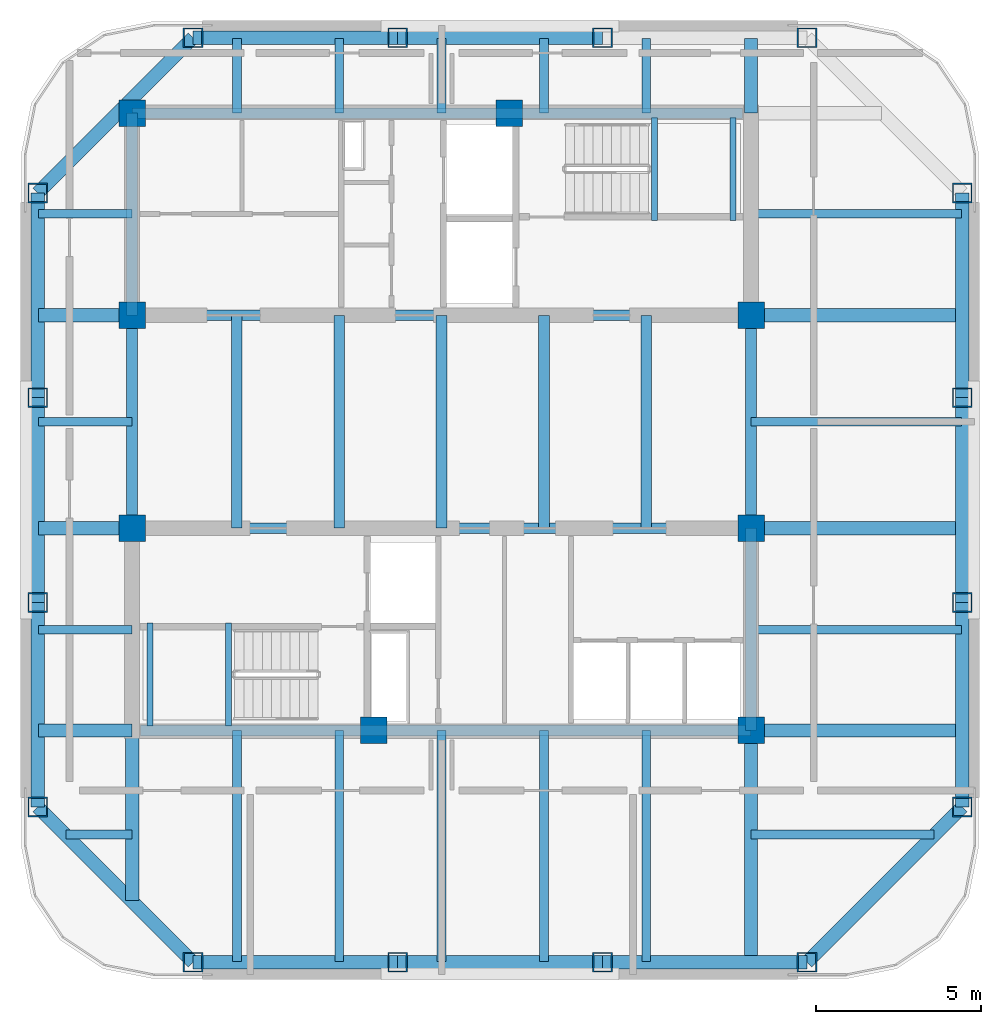
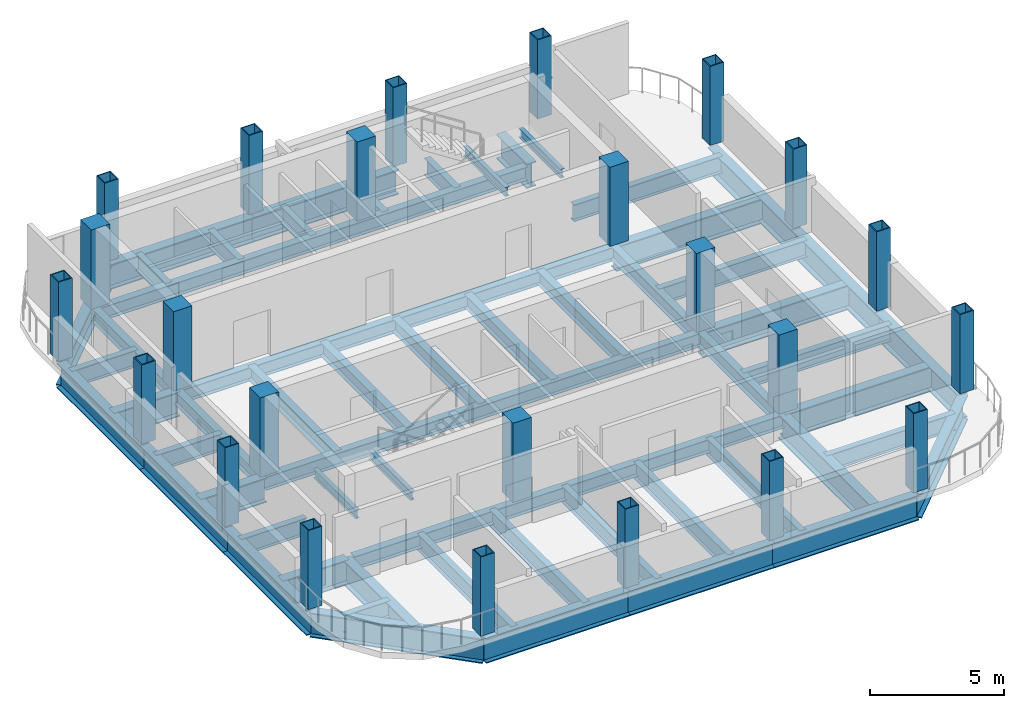
# One storey, part 1 of 7: 58 beams, 24 columns.
"""IFC4 building model written with IfcOpenShell, lengths in metres."""

from ifc_helpers import new_model, si_unit, direction, frame, origin, origin_2d, place, context, subcontext, project, spatial, rectangle, hollow_rectangle, i_section, extrude, material, material_profile, profile_set, type_object, element, save


model = new_model("IFC4")

# Units and contexts
model_context = context("Model", 3, precision=1e-05, world=origin(), true_north=direction((0.0, 1.0)))
body_context = subcontext(model_context, "Body", "Model", "MODEL_VIEW")
ifc_project = project(units=[si_unit("LENGTHUNIT", "METRE"), si_unit("AREAUNIT", "SQUARE_METRE"), si_unit("VOLUMEUNIT", "CUBIC_METRE"), si_unit("PLANEANGLEUNIT", "RADIAN"), si_unit("MASSUNIT", "GRAM", prefix="KILO")], contexts=[model_context])

# Site, building, storey
site_placement = place(None, origin())
site = spatial("IfcSite", under=ifc_project, at=site_placement, CompositionType="ELEMENT")
building_placement = place(site_placement, origin())
building = spatial("IfcBuilding", under=site, at=building_placement, Name="Qhalaya Broadcast Tower", CompositionType="ELEMENT")
storey_placement = place(building_placement, frame((0.0, 0.0, 234.89990234375)))
storey = spatial("IfcBuildingStorey", under=building, at=storey_placement, Name="L69", CompositionType="ELEMENT", Elevation=234.89990234375)

# Columns
ifc_material_1 = material(Name="Concrete C50/60", Category="concrete")
ifc_material_profile_1 = material_profile(ifc_material_1, rectangle(XDim=0.800048828125, YDim=0.800048828125, at=origin_2d()), Name="RC-COL 800x800")
ifc_profile_set_1 = profile_set([ifc_material_profile_1], Name="Concrete C50/60")
column_type_1 = type_object("IfcColumnType", Name="RC Upper Column C10", PredefinedType="COLUMN", material=ifc_profile_set_1)
for number, where, z_axis, x_axis, name in (
    (1, (-9.375, 9.949951171875, 0.0), (0.0, 0.0, 1.0), (1.0, 0.0, 0.0), "L69 Column COL-CC1"),
    (2, (2.050048828125, 9.949951171875, 0.0), (0.0, 0.0, 1.0), (1.0, 0.0, 0.0), "L69 Column COL-CC2"),
    (3, (-9.375, 3.824951171875, 0.0), (0.0, 0.0, 1.0), (1.0, 0.0, 0.0), "L69 Column COL-CC3"),
    (4, (9.375, 3.824951171875, 0.0), (0.0, 0.0, 1.0), (1.0, 0.0, 0.0), "L69 Column COL-CC4"),
    (5, (-9.375, -2.625, 0.0), (0.0, 0.0, 1.0), (1.0, 0.0, 0.0), "L69 Column COL-CC5"),
    (6, (9.375, -2.625, 0.0), (0.0, 0.0, 1.0), (1.0, 0.0, 0.0), "L69 Column COL-CC6"),
    (7, (-2.050048828125, -8.75, 0.0), (0.0, 0.0, 1.0), (1.0, 0.0, 0.0), "L69 Column COL-CC7"),
    (8, (9.375, -8.75, 0.0), (0.0, 0.0, 1.0), (1.0, 0.0, 0.0), "L69 Column COL-CC8"),
):
    element("IfcColumn", number, at=place(storey_placement, frame(where, z_axis=z_axis, x_axis=x_axis)), inside=storey, type_object=column_type_1, Name=name, PredefinedType="COLUMN", context=body_context, shape_type="SweptSolid", body=[
        extrude(rectangle(XDim=0.800048828125, YDim=0.800048828125, at=origin_2d()), origin(), (0.0, 0.0, 1.0), 3.60009765625),
    ])
ifc_material_2 = material(Name="Structural Steel ASTM A572 Grade 50", Category="steel")
ifc_material_profile_2 = material_profile(ifc_material_2, hollow_rectangle(XDim=0.60009765625, YDim=0.60009765625, WallThickness=0.0400390625, at=origin_2d()), Name="BOX 600x600x40")
ifc_profile_set_2 = profile_set([ifc_material_profile_2], Name="Structural Steel ASTM A572 Grade 50")
column_type_2 = type_object("IfcColumnType", Name="Steel Box Column C05", PredefinedType="COLUMN", material=ifc_profile_set_2)
for number, where, z_axis, x_axis, name in (
    (9, (-7.530029296875, -15.77001953125, 0.0), (0.0, 0.0, 1.0), (1.0, 0.0, 0.0), "L69 Column COL-NK01"),
    (10, (-1.330078125, -15.77001953125, 0.0), (0.0, 0.0, 1.0), (1.0, 0.0, 0.0), "L69 Column COL-NK02"),
    (11, (4.8701171875, -15.77001953125, 0.0), (0.0, 0.0, 1.0), (1.0, 0.0, 0.0), "L69 Column COL-NK03"),
    (12, (11.070068359375, -15.77001953125, 0.0), (0.0, 0.0, 1.0), (1.0, 0.0, 0.0), "L69 Column COL-NK04"),
    (13, (15.77001953125, -11.070068359375, 0.0), (0.0, 0.0, 1.0), (0.0, 1.0, 0.0), "L69 Column COL-NK05"),
    (14, (15.77001953125, -4.8701171875, 0.0), (0.0, 0.0, 1.0), (0.0, 1.0, 0.0), "L69 Column COL-NK06"),
    (15, (15.77001953125, 1.330078125, 0.0), (0.0, 0.0, 1.0), (0.0, 1.0, 0.0), "L69 Column COL-NK07"),
    (16, (15.77001953125, 7.530029296875, 0.0), (0.0, 0.0, 1.0), (0.0, 1.0, 0.0), "L69 Column COL-NK08"),
    (17, (11.070068359375, 12.22998046875, 0.0), (0.0, 0.0, 1.0), (1.0, 0.0, 0.0), "L69 Column COL-NK09"),
    (18, (4.8701171875, 12.22998046875, 0.0), (0.0, 0.0, 1.0), (1.0, 0.0, 0.0), "L69 Column COL-NK10"),
    (19, (-1.330078125, 12.22998046875, 0.0), (0.0, 0.0, 1.0), (1.0, 0.0, 0.0), "L69 Column COL-NK11"),
    (20, (-7.530029296875, 12.22998046875, 0.0), (0.0, 0.0, 1.0), (1.0, 0.0, 0.0), "L69 Column COL-NK12"),
    (21, (-12.22998046875, 7.530029296875, 0.0), (0.0, 0.0, 1.0), (0.0, 1.0, 0.0), "L69 Column COL-NK13"),
    (22, (-12.22998046875, 1.330078125, 0.0), (0.0, 0.0, 1.0), (0.0, 1.0, 0.0), "L69 Column COL-NK14"),
    (23, (-12.22998046875, -4.8701171875, 0.0), (0.0, 0.0, 1.0), (0.0, 1.0, 0.0), "L69 Column COL-NK15"),
    (24, (-12.22998046875, -11.070068359375, 0.0), (0.0, 0.0, 1.0), (0.0, 1.0, 0.0), "L69 Column COL-NK16"),
):
    element("IfcColumn", number, at=place(storey_placement, frame(where, z_axis=z_axis, x_axis=x_axis)), inside=storey, type_object=column_type_2, Name=name, PredefinedType="COLUMN", context=body_context, shape_type="SweptSolid", body=[
        extrude(hollow_rectangle(XDim=0.60009765625, YDim=0.60009765625, WallThickness=0.0400390625, at=origin_2d()), origin(), (0.0, 0.0, 1.0), 3.60009765625),
    ])

# Beams
ifc_material_3 = material(Name="Structural Steel ASTM A992 Grade 50", Category="steel")
ifc_material_profile_3 = material_profile(ifc_material_3, i_section(OverallWidth=0.323974609375, OverallDepth=0.612060546875, WebThickness=0.0126953125, FlangeThickness=0.01904296875, at=origin_2d()), Name="W24X104")
ifc_profile_set_3 = profile_set([ifc_material_profile_3], Name="Structural Steel ASTM A992 Grade 50")
beam_type_1 = type_object("IfcBeamType", Name="Core Frame Tie Beam B04", PredefinedType="BEAM", material=ifc_profile_set_3)
beam_1_placement = place(storey_placement, frame((-9.375, 3.824951171875, -0.5859375), z_axis=(1.0, 0.0, 0.0), x_axis=(0.0, 1.0, 0.0)))
element("IfcBeam", 25, at=beam_1_placement, inside=storey, type_object=beam_type_1, Name="L69 B04 L69-CCN1", PredefinedType="BEAM", context=body_context, shape_type="SweptSolid", body=[
    extrude(i_section(OverallWidth=0.323974609375, OverallDepth=0.612060546875, WebThickness=0.0126953125, FlangeThickness=0.01904296875, at=origin_2d()), origin(), (0.0, 0.0, 1.0), 18.75),
])
beam_2_placement = place(storey_placement, frame((-9.375, 3.824951171875, -0.5859375), z_axis=(0.0, 1.0, 0.0), x_axis=(-1.0, 0.0, 0.0)))
element("IfcBeam", 26, at=beam_2_placement, inside=storey, type_object=beam_type_1, Name="L69 B04 L69-CCN2", PredefinedType="BEAM", context=body_context, shape_type="SweptSolid", body=[
    extrude(i_section(OverallWidth=0.323974609375, OverallDepth=0.612060546875, WebThickness=0.0126953125, FlangeThickness=0.01904296875, at=origin_2d()), origin(), (0.0, 0.0, 1.0), 6.125),
])
beam_3_placement = place(storey_placement, frame((-9.375, 9.949951171875, -0.5859375), z_axis=(1.0, 0.0, 0.0), x_axis=(0.0, 1.0, 0.0)))
element("IfcBeam", 27, at=beam_3_placement, inside=storey, type_object=beam_type_1, Name="L69 B04 L69-CCN3", PredefinedType="BEAM", context=body_context, shape_type="SweptSolid", body=[
    extrude(i_section(OverallWidth=0.323974609375, OverallDepth=0.612060546875, WebThickness=0.0126953125, FlangeThickness=0.01904296875, at=origin_2d()), origin(), (0.0, 0.0, 1.0), 18.4951171875),
])
beam_4_placement = place(storey_placement, frame((-9.375, -2.625, -0.5859375), z_axis=(1.0, 0.0, 0.0), x_axis=(0.0, 1.0, 0.0)))
element("IfcBeam", 28, at=beam_4_placement, inside=storey, type_object=beam_type_1, Name="L69 B04 L69-CCS1", PredefinedType="BEAM", context=body_context, shape_type="SweptSolid", body=[
    extrude(i_section(OverallWidth=0.323974609375, OverallDepth=0.612060546875, WebThickness=0.0126953125, FlangeThickness=0.01904296875, at=origin_2d()), origin(), (0.0, 0.0, 1.0), 18.75),
])
beam_5_placement = place(storey_placement, frame((9.375, -8.75, -0.5859375), z_axis=(0.0, 1.0, 0.0), x_axis=(-1.0, 0.0, 0.0)))
element("IfcBeam", 29, at=beam_5_placement, inside=storey, type_object=beam_type_1, Name="L69 B04 L69-CCS2", PredefinedType="BEAM", context=body_context, shape_type="SweptSolid", body=[
    extrude(i_section(OverallWidth=0.323974609375, OverallDepth=0.612060546875, WebThickness=0.0126953125, FlangeThickness=0.01904296875, at=origin_2d()), origin(), (0.0, 0.0, 1.0), 6.125),
])
beam_6_placement = place(storey_placement, frame((-9.1201171875, -8.75, -0.5859375), z_axis=(1.0, 0.0, 0.0), x_axis=(0.0, 1.0, 0.0)))
element("IfcBeam", 30, at=beam_6_placement, inside=storey, type_object=beam_type_1, Name="L69 B04 L69-CCS3", PredefinedType="BEAM", context=body_context, shape_type="SweptSolid", body=[
    extrude(i_section(OverallWidth=0.323974609375, OverallDepth=0.612060546875, WebThickness=0.0126953125, FlangeThickness=0.01904296875, at=origin_2d()), origin(), (0.0, 0.0, 1.0), 18.4951171875),
])
for number, where, z_axis, x_axis, name in (
    (31, (-9.375, -2.625, -0.5859375), (0.0, 1.0, 0.0), (-1.0, 0.0, 0.0), "L69 B04 L69-CCW"),
    (32, (9.375, -2.625, -0.5859375), (0.0, 1.0, 0.0), (-1.0, 0.0, 0.0), "L69 B04 L69-CCE"),
    (33, (-6.199951171875, -2.625, -0.5859375), (0.0, 1.0, 0.0), (-1.0, 0.0, 0.0), "L69 B04 L69-JC1-1"),
    (34, (-3.10009765625, -2.625, -0.5859375), (0.0, 1.0, 0.0), (-1.0, 0.0, 0.0), "L69 B04 L69-JC2-1"),
    (35, (0.0, -2.625, -0.5859375), (0.0, 1.0, 0.0), (-1.0, 0.0, 0.0), "L69 B04 L69-JC3-1"),
    (36, (3.10009765625, -2.625, -0.5859375), (0.0, 1.0, 0.0), (-1.0, 0.0, 0.0), "L69 B04 L69-JC4-1"),
    (37, (6.199951171875, -2.625, -0.5859375), (0.0, 1.0, 0.0), (-1.0, 0.0, 0.0), "L69 B04 L69-JC5-1"),
):
    element("IfcBeam", number, at=place(storey_placement, frame(where, z_axis=z_axis, x_axis=x_axis)), inside=storey, type_object=beam_type_1, Name=name, PredefinedType="BEAM", context=body_context, shape_type="SweptSolid", body=[
        extrude(i_section(OverallWidth=0.323974609375, OverallDepth=0.612060546875, WebThickness=0.0126953125, FlangeThickness=0.01904296875, at=origin_2d()), origin(), (0.0, 0.0, 1.0), 6.449951171875),
    ])
ifc_material_profile_4 = material_profile(ifc_material_3, i_section(OverallWidth=0.26708984375, OverallDepth=0.761962890625, WebThickness=0.014404296875, FlangeThickness=0.021484375, at=origin_2d()), Name="W30X116")
ifc_profile_set_4 = profile_set([ifc_material_profile_4], Name="Structural Steel ASTM A992 Grade 50")
beam_type_2 = type_object("IfcBeamType", Name="Plant & Server Floor Beam B02", PredefinedType="BEAM", material=ifc_profile_set_4)
beam_7_placement = place(storey_placement, frame((-6.199951171875, -15.75, -0.660888671875), z_axis=(0.0, 1.0, 0.0), x_axis=(-1.0, 0.0, 0.0)))
element("IfcBeam", 38, at=beam_7_placement, inside=storey, type_object=beam_type_2, Name="L69 B02 L69-JNS1-1", PredefinedType="BEAM", context=body_context, shape_type="SweptSolid", body=[
    extrude(i_section(OverallWidth=0.26708984375, OverallDepth=0.761962890625, WebThickness=0.014404296875, FlangeThickness=0.021484375, at=origin_2d()), origin(), (0.0, 0.0, 1.0), 7.0),
])
beam_8_placement = place(storey_placement, frame((-6.199951171875, 9.949951171875, -0.660888671875), z_axis=(0.0, 1.0, 0.0), x_axis=(-1.0, 0.0, 0.0)))
element("IfcBeam", 39, at=beam_8_placement, inside=storey, type_object=beam_type_2, Name="L69 B02 L69-JNN1-1", PredefinedType="BEAM", context=body_context, shape_type="SweptSolid", body=[
    extrude(i_section(OverallWidth=0.26708984375, OverallDepth=0.761962890625, WebThickness=0.014404296875, FlangeThickness=0.021484375, at=origin_2d()), origin(), (0.0, 0.0, 1.0), 2.260009765625),
])
beam_9_placement = place(storey_placement, frame((-3.10009765625, -15.75, -0.660888671875), z_axis=(0.0, 1.0, 0.0), x_axis=(-1.0, 0.0, 0.0)))
element("IfcBeam", 40, at=beam_9_placement, inside=storey, type_object=beam_type_2, Name="L69 B02 L69-JNS2-1", PredefinedType="BEAM", context=body_context, shape_type="SweptSolid", body=[
    extrude(i_section(OverallWidth=0.26708984375, OverallDepth=0.761962890625, WebThickness=0.014404296875, FlangeThickness=0.021484375, at=origin_2d()), origin(), (0.0, 0.0, 1.0), 7.0),
])
beam_10_placement = place(storey_placement, frame((-3.10009765625, 9.949951171875, -0.660888671875), z_axis=(0.0, 1.0, 0.0), x_axis=(-1.0, 0.0, 0.0)))
element("IfcBeam", 41, at=beam_10_placement, inside=storey, type_object=beam_type_2, Name="L69 B02 L69-JNN2-1", PredefinedType="BEAM", context=body_context, shape_type="SweptSolid", body=[
    extrude(i_section(OverallWidth=0.26708984375, OverallDepth=0.761962890625, WebThickness=0.014404296875, FlangeThickness=0.021484375, at=origin_2d()), origin(), (0.0, 0.0, 1.0), 2.260009765625),
])
beam_11_placement = place(storey_placement, frame((0.0, -15.75, -0.660888671875), z_axis=(0.0, 1.0, 0.0), x_axis=(-1.0, 0.0, 0.0)))
element("IfcBeam", 42, at=beam_11_placement, inside=storey, type_object=beam_type_2, Name="L69 B02 L69-JNS3-1", PredefinedType="BEAM", context=body_context, shape_type="SweptSolid", body=[
    extrude(i_section(OverallWidth=0.26708984375, OverallDepth=0.761962890625, WebThickness=0.014404296875, FlangeThickness=0.021484375, at=origin_2d()), origin(), (0.0, 0.0, 1.0), 7.0),
])
beam_12_placement = place(storey_placement, frame((0.0, 9.949951171875, -0.660888671875), z_axis=(0.0, 1.0, 0.0), x_axis=(-1.0, 0.0, 0.0)))
element("IfcBeam", 43, at=beam_12_placement, inside=storey, type_object=beam_type_2, Name="L69 B02 L69-JNN3-1", PredefinedType="BEAM", context=body_context, shape_type="SweptSolid", body=[
    extrude(i_section(OverallWidth=0.26708984375, OverallDepth=0.761962890625, WebThickness=0.014404296875, FlangeThickness=0.021484375, at=origin_2d()), origin(), (0.0, 0.0, 1.0), 2.260009765625),
])
beam_13_placement = place(storey_placement, frame((3.10009765625, -15.75, -0.660888671875), z_axis=(0.0, 1.0, 0.0), x_axis=(-1.0, 0.0, 0.0)))
element("IfcBeam", 44, at=beam_13_placement, inside=storey, type_object=beam_type_2, Name="L69 B02 L69-JNS4-1", PredefinedType="BEAM", context=body_context, shape_type="SweptSolid", body=[
    extrude(i_section(OverallWidth=0.26708984375, OverallDepth=0.761962890625, WebThickness=0.014404296875, FlangeThickness=0.021484375, at=origin_2d()), origin(), (0.0, 0.0, 1.0), 7.0),
])
beam_14_placement = place(storey_placement, frame((3.10009765625, 9.949951171875, -0.660888671875), z_axis=(0.0, 1.0, 0.0), x_axis=(-1.0, 0.0, 0.0)))
element("IfcBeam", 45, at=beam_14_placement, inside=storey, type_object=beam_type_2, Name="L69 B02 L69-JNN4-1", PredefinedType="BEAM", context=body_context, shape_type="SweptSolid", body=[
    extrude(i_section(OverallWidth=0.26708984375, OverallDepth=0.761962890625, WebThickness=0.014404296875, FlangeThickness=0.021484375, at=origin_2d()), origin(), (0.0, 0.0, 1.0), 2.260009765625),
])
beam_15_placement = place(storey_placement, frame((6.199951171875, -15.75, -0.660888671875), z_axis=(0.0, 1.0, 0.0), x_axis=(-1.0, 0.0, 0.0)))
element("IfcBeam", 46, at=beam_15_placement, inside=storey, type_object=beam_type_2, Name="L69 B02 L69-JNS5-1", PredefinedType="BEAM", context=body_context, shape_type="SweptSolid", body=[
    extrude(i_section(OverallWidth=0.26708984375, OverallDepth=0.761962890625, WebThickness=0.014404296875, FlangeThickness=0.021484375, at=origin_2d()), origin(), (0.0, 0.0, 1.0), 7.0),
])
beam_16_placement = place(storey_placement, frame((6.199951171875, 9.949951171875, -0.660888671875), z_axis=(0.0, 1.0, 0.0), x_axis=(-1.0, 0.0, 0.0)))
element("IfcBeam", 47, at=beam_16_placement, inside=storey, type_object=beam_type_2, Name="L69 B02 L69-JNN5-1", PredefinedType="BEAM", context=body_context, shape_type="SweptSolid", body=[
    extrude(i_section(OverallWidth=0.26708984375, OverallDepth=0.761962890625, WebThickness=0.014404296875, FlangeThickness=0.021484375, at=origin_2d()), origin(), (0.0, 0.0, 1.0), 2.260009765625),
])
beam_17_placement = place(storey_placement, frame((-11.37158203125, -11.89990234375, -0.660888671875), z_axis=(1.0, 0.0, 0.0), x_axis=(0.0, 1.0, 0.0)))
element("IfcBeam", 48, at=beam_17_placement, inside=storey, type_object=beam_type_2, Name="L69 B02 L69-JWE2W-1", PredefinedType="BEAM", context=body_context, shape_type="SweptSolid", body=[
    extrude(i_section(OverallWidth=0.26708984375, OverallDepth=0.761962890625, WebThickness=0.014404296875, FlangeThickness=0.021484375, at=origin_2d()), origin(), (0.0, 0.0, 1.0), 1.99658203125),
])
beam_18_placement = place(storey_placement, frame((9.375, -11.89990234375, -0.660888671875), z_axis=(1.0, 0.0, 0.0), x_axis=(0.0, 1.0, 0.0)))
element("IfcBeam", 49, at=beam_18_placement, inside=storey, type_object=beam_type_2, Name="L69 B02 L69-JWE2E-1", PredefinedType="BEAM", context=body_context, shape_type="SweptSolid", body=[
    extrude(i_section(OverallWidth=0.26708984375, OverallDepth=0.761962890625, WebThickness=0.014404296875, FlangeThickness=0.021484375, at=origin_2d()), origin(), (0.0, 0.0, 1.0), 5.53662109375),
])
beam_19_placement = place(storey_placement, frame((-12.2099609375, -5.699951171875, -0.660888671875), z_axis=(1.0, 0.0, 0.0), x_axis=(0.0, 1.0, 0.0)))
element("IfcBeam", 50, at=beam_19_placement, inside=storey, type_object=beam_type_2, Name="L69 B02 L69-JWE3W-1", PredefinedType="BEAM", context=body_context, shape_type="SweptSolid", body=[
    extrude(i_section(OverallWidth=0.26708984375, OverallDepth=0.761962890625, WebThickness=0.014404296875, FlangeThickness=0.021484375, at=origin_2d()), origin(), (0.0, 0.0, 1.0), 2.8349609375),
])
beam_20_placement = place(storey_placement, frame((9.375, -5.699951171875, -0.660888671875), z_axis=(1.0, 0.0, 0.0), x_axis=(0.0, 1.0, 0.0)))
element("IfcBeam", 51, at=beam_20_placement, inside=storey, type_object=beam_type_2, Name="L69 B02 L69-JWE3E-1", PredefinedType="BEAM", context=body_context, shape_type="SweptSolid", body=[
    extrude(i_section(OverallWidth=0.26708984375, OverallDepth=0.761962890625, WebThickness=0.014404296875, FlangeThickness=0.021484375, at=origin_2d()), origin(), (0.0, 0.0, 1.0), 6.375),
])
beam_21_placement = place(storey_placement, frame((-12.2099609375, 0.60009765625, -0.660888671875), z_axis=(1.0, 0.0, 0.0), x_axis=(0.0, 1.0, 0.0)))
element("IfcBeam", 52, at=beam_21_placement, inside=storey, type_object=beam_type_2, Name="L69 B02 L69-JWE4W-1", PredefinedType="BEAM", context=body_context, shape_type="SweptSolid", body=[
    extrude(i_section(OverallWidth=0.26708984375, OverallDepth=0.761962890625, WebThickness=0.014404296875, FlangeThickness=0.021484375, at=origin_2d()), origin(), (0.0, 0.0, 1.0), 2.8349609375),
])
beam_22_placement = place(storey_placement, frame((9.375, 0.60009765625, -0.660888671875), z_axis=(1.0, 0.0, 0.0), x_axis=(0.0, 1.0, 0.0)))
element("IfcBeam", 53, at=beam_22_placement, inside=storey, type_object=beam_type_2, Name="L69 B02 L69-JWE4E-1", PredefinedType="BEAM", context=body_context, shape_type="SweptSolid", body=[
    extrude(i_section(OverallWidth=0.26708984375, OverallDepth=0.761962890625, WebThickness=0.014404296875, FlangeThickness=0.021484375, at=origin_2d()), origin(), (0.0, 0.0, 1.0), 6.375),
])
beam_23_placement = place(storey_placement, frame((-12.2099609375, 6.89990234375, -0.660888671875), z_axis=(1.0, 0.0, 0.0), x_axis=(0.0, 1.0, 0.0)))
element("IfcBeam", 54, at=beam_23_placement, inside=storey, type_object=beam_type_2, Name="L69 B02 L69-JWE5W-1", PredefinedType="BEAM", context=body_context, shape_type="SweptSolid", body=[
    extrude(i_section(OverallWidth=0.26708984375, OverallDepth=0.761962890625, WebThickness=0.014404296875, FlangeThickness=0.021484375, at=origin_2d()), origin(), (0.0, 0.0, 1.0), 2.8349609375),
])
beam_24_placement = place(storey_placement, frame((9.375, 6.89990234375, -0.660888671875), z_axis=(1.0, 0.0, 0.0), x_axis=(0.0, 1.0, 0.0)))
element("IfcBeam", 55, at=beam_24_placement, inside=storey, type_object=beam_type_2, Name="L69 B02 L69-JWE5E-1", PredefinedType="BEAM", context=body_context, shape_type="SweptSolid", body=[
    extrude(i_section(OverallWidth=0.26708984375, OverallDepth=0.761962890625, WebThickness=0.014404296875, FlangeThickness=0.021484375, at=origin_2d()), origin(), (0.0, 0.0, 1.0), 6.375),
])
ifc_material_profile_5 = material_profile(ifc_material_3, i_section(OverallWidth=0.404052734375, OverallDepth=1.117919921875, WebThickness=0.026123046875, FlangeThickness=0.044921875, at=origin_2d()), Name="W44X335")
ifc_profile_set_5 = profile_set([ifc_material_profile_5], Name="Structural Steel ASTM A992 Grade 50")
beam_type_3 = type_object("IfcBeamType", Name="Podium Long-Span Primary Girder PG1", PredefinedType="USERDEFINED", material=ifc_profile_set_5)
beam_25_placement = place(storey_placement, frame((-7.530029296875, -15.77001953125, -0.8388671875), z_axis=(1.0, 0.0, 0.0), x_axis=(0.0, 1.0, 0.0)))
element("IfcBeam", 56, at=beam_25_placement, inside=storey, type_object=beam_type_3, Name="L69 PG1 L69-SPR-01", ObjectType="GIRDER", PredefinedType="USERDEFINED", context=body_context, shape_type="SweptSolid", body=[
    extrude(i_section(OverallWidth=0.404052734375, OverallDepth=1.117919921875, WebThickness=0.026123046875, FlangeThickness=0.044921875, at=origin_2d()), origin(), (0.0, 0.0, 1.0), 6.199951171875),
])
beam_26_placement = place(storey_placement, frame((-1.330078125, -15.77001953125, -0.8388671875), z_axis=(1.0, 0.0, 0.0), x_axis=(0.0, 1.0, 0.0)))
element("IfcBeam", 57, at=beam_26_placement, inside=storey, type_object=beam_type_3, Name="L69 PG1 L69-SPR-02", ObjectType="GIRDER", PredefinedType="USERDEFINED", context=body_context, shape_type="SweptSolid", body=[
    extrude(i_section(OverallWidth=0.404052734375, OverallDepth=1.117919921875, WebThickness=0.026123046875, FlangeThickness=0.044921875, at=origin_2d()), origin(), (0.0, 0.0, 1.0), 6.2001953125),
])
beam_27_placement = place(storey_placement, frame((4.8701171875, -15.77001953125, -0.8388671875), z_axis=(1.0, 0.0, 0.0), x_axis=(0.0, 1.0, 0.0)))
element("IfcBeam", 58, at=beam_27_placement, inside=storey, type_object=beam_type_3, Name="L69 PG1 L69-SPR-03", ObjectType="GIRDER", PredefinedType="USERDEFINED", context=body_context, shape_type="SweptSolid", body=[
    extrude(i_section(OverallWidth=0.404052734375, OverallDepth=1.117919921875, WebThickness=0.026123046875, FlangeThickness=0.044921875, at=origin_2d()), origin(), (0.0, 0.0, 1.0), 6.199951171875),
])
beam_28_placement = place(storey_placement, frame((11.070068359375, -15.77001953125, -0.8388671875), z_axis=(0.707106781187, 0.707106781187, 0.0), x_axis=(-0.707106781187, 0.707106781187, 0.0)))
element("IfcBeam", 59, at=beam_28_placement, inside=storey, type_object=beam_type_3, Name="L69 PG1 L69-SPR-04", ObjectType="GIRDER", PredefinedType="USERDEFINED", context=body_context, shape_type="SweptSolid", body=[
    extrude(i_section(OverallWidth=0.404052734375, OverallDepth=1.117919921875, WebThickness=0.026123046875, FlangeThickness=0.044921875, at=origin_2d()), origin(), (0.0, 0.0, 1.0), 6.646728515625),
])
beam_29_placement = place(storey_placement, frame((15.77001953125, -11.070068359375, -0.8388671875), z_axis=(0.0, 1.0, 0.0), x_axis=(-1.0, 0.0, 0.0)))
element("IfcBeam", 60, at=beam_29_placement, inside=storey, type_object=beam_type_3, Name="L69 PG1 L69-SPR-05", ObjectType="GIRDER", PredefinedType="USERDEFINED", context=body_context, shape_type="SweptSolid", body=[
    extrude(i_section(OverallWidth=0.404052734375, OverallDepth=1.117919921875, WebThickness=0.026123046875, FlangeThickness=0.044921875, at=origin_2d()), origin(), (0.0, 0.0, 1.0), 6.199951171875),
])
beam_30_placement = place(storey_placement, frame((15.77001953125, -4.8701171875, -0.8388671875), z_axis=(0.0, 1.0, 0.0), x_axis=(-1.0, 0.0, 0.0)))
element("IfcBeam", 61, at=beam_30_placement, inside=storey, type_object=beam_type_3, Name="L69 PG1 L69-SPR-06", ObjectType="GIRDER", PredefinedType="USERDEFINED", context=body_context, shape_type="SweptSolid", body=[
    extrude(i_section(OverallWidth=0.404052734375, OverallDepth=1.117919921875, WebThickness=0.026123046875, FlangeThickness=0.044921875, at=origin_2d()), origin(), (0.0, 0.0, 1.0), 6.2001953125),
])
beam_31_placement = place(storey_placement, frame((15.77001953125, 1.330078125, -0.8388671875), z_axis=(0.0, 1.0, 0.0), x_axis=(-1.0, 0.0, 0.0)))
element("IfcBeam", 62, at=beam_31_placement, inside=storey, type_object=beam_type_3, Name="L69 PG1 L69-SPR-07", ObjectType="GIRDER", PredefinedType="USERDEFINED", context=body_context, shape_type="SweptSolid", body=[
    extrude(i_section(OverallWidth=0.404052734375, OverallDepth=1.117919921875, WebThickness=0.026123046875, FlangeThickness=0.044921875, at=origin_2d()), origin(), (0.0, 0.0, 1.0), 6.199951171875),
])
beam_32_placement = place(storey_placement, frame((4.8701171875, 12.22998046875, -0.8388671875), z_axis=(-1.0, 0.0, 0.0), x_axis=(0.0, -1.0, 0.0)))
element("IfcBeam", 63, at=beam_32_placement, inside=storey, type_object=beam_type_3, Name="L69 PG1 L69-SPR-10", ObjectType="GIRDER", PredefinedType="USERDEFINED", context=body_context, shape_type="SweptSolid", body=[
    extrude(i_section(OverallWidth=0.404052734375, OverallDepth=1.117919921875, WebThickness=0.026123046875, FlangeThickness=0.044921875, at=origin_2d()), origin(), (0.0, 0.0, 1.0), 6.2001953125),
])
beam_33_placement = place(storey_placement, frame((-1.330078125, 12.22998046875, -0.8388671875), z_axis=(-1.0, 0.0, 0.0), x_axis=(0.0, -1.0, 0.0)))
element("IfcBeam", 64, at=beam_33_placement, inside=storey, type_object=beam_type_3, Name="L69 PG1 L69-SPR-11", ObjectType="GIRDER", PredefinedType="USERDEFINED", context=body_context, shape_type="SweptSolid", body=[
    extrude(i_section(OverallWidth=0.404052734375, OverallDepth=1.117919921875, WebThickness=0.026123046875, FlangeThickness=0.044921875, at=origin_2d()), origin(), (0.0, 0.0, 1.0), 6.199951171875),
])
beam_34_placement = place(storey_placement, frame((-7.530029296875, 12.22998046875, -0.8388671875), z_axis=(-0.707106781187, -0.707106781187, 0.0), x_axis=(0.707106781187, -0.707106781187, 0.0)))
element("IfcBeam", 65, at=beam_34_placement, inside=storey, type_object=beam_type_3, Name="L69 PG1 L69-SPR-12", ObjectType="GIRDER", PredefinedType="USERDEFINED", context=body_context, shape_type="SweptSolid", body=[
    extrude(i_section(OverallWidth=0.404052734375, OverallDepth=1.117919921875, WebThickness=0.026123046875, FlangeThickness=0.044921875, at=origin_2d()), origin(), (0.0, 0.0, 1.0), 6.646728515625),
])
beam_35_placement = place(storey_placement, frame((-12.22998046875, 7.530029296875, -0.8388671875), z_axis=(0.0, -1.0, 0.0), x_axis=(1.0, 0.0, 0.0)))
element("IfcBeam", 66, at=beam_35_placement, inside=storey, type_object=beam_type_3, Name="L69 PG1 L69-SPR-13", ObjectType="GIRDER", PredefinedType="USERDEFINED", context=body_context, shape_type="SweptSolid", body=[
    extrude(i_section(OverallWidth=0.404052734375, OverallDepth=1.117919921875, WebThickness=0.026123046875, FlangeThickness=0.044921875, at=origin_2d()), origin(), (0.0, 0.0, 1.0), 6.199951171875),
])
beam_36_placement = place(storey_placement, frame((-12.22998046875, 1.330078125, -0.8388671875), z_axis=(0.0, -1.0, 0.0), x_axis=(1.0, 0.0, 0.0)))
element("IfcBeam", 67, at=beam_36_placement, inside=storey, type_object=beam_type_3, Name="L69 PG1 L69-SPR-14", ObjectType="GIRDER", PredefinedType="USERDEFINED", context=body_context, shape_type="SweptSolid", body=[
    extrude(i_section(OverallWidth=0.404052734375, OverallDepth=1.117919921875, WebThickness=0.026123046875, FlangeThickness=0.044921875, at=origin_2d()), origin(), (0.0, 0.0, 1.0), 6.2001953125),
])
beam_37_placement = place(storey_placement, frame((-12.22998046875, -4.8701171875, -0.8388671875), z_axis=(0.0, -1.0, 0.0), x_axis=(1.0, 0.0, 0.0)))
element("IfcBeam", 68, at=beam_37_placement, inside=storey, type_object=beam_type_3, Name="L69 PG1 L69-SPR-15", ObjectType="GIRDER", PredefinedType="USERDEFINED", context=body_context, shape_type="SweptSolid", body=[
    extrude(i_section(OverallWidth=0.404052734375, OverallDepth=1.117919921875, WebThickness=0.026123046875, FlangeThickness=0.044921875, at=origin_2d()), origin(), (0.0, 0.0, 1.0), 6.199951171875),
])
beam_38_placement = place(storey_placement, frame((-12.22998046875, -11.070068359375, -0.8388671875), z_axis=(0.707106781187, -0.707106781187, 0.0), x_axis=(0.707106781187, 0.707106781187, 0.0)))
element("IfcBeam", 69, at=beam_38_placement, inside=storey, type_object=beam_type_3, Name="L69 PG1 L69-SPR-16", ObjectType="GIRDER", PredefinedType="USERDEFINED", context=body_context, shape_type="SweptSolid", body=[
    extrude(i_section(OverallWidth=0.404052734375, OverallDepth=1.117919921875, WebThickness=0.026123046875, FlangeThickness=0.044921875, at=origin_2d()), origin(), (0.0, 0.0, 1.0), 6.646728515625),
])
beam_39_placement = place(storey_placement, frame((-9.375, -13.896728515625, -0.8388671875), z_axis=(0.0, 1.0, 0.0), x_axis=(-1.0, 0.0, 0.0)))
element("IfcBeam", 70, at=beam_39_placement, inside=storey, type_object=beam_type_3, Name="L69 PG1 L69-PGXS1-1", ObjectType="GIRDER", PredefinedType="USERDEFINED", context=body_context, shape_type="SweptSolid", body=[
    extrude(i_section(OverallWidth=0.404052734375, OverallDepth=1.117919921875, WebThickness=0.026123046875, FlangeThickness=0.044921875, at=origin_2d()), origin(), (0.0, 0.0, 1.0), 5.146728515625),
])
beam_40_placement = place(storey_placement, frame((9.375, -15.75, -0.8388671875), z_axis=(0.0, 1.0, 0.0), x_axis=(-1.0, 0.0, 0.0)))
element("IfcBeam", 71, at=beam_40_placement, inside=storey, type_object=beam_type_3, Name="L69 PG1 L69-PGXS2-1", ObjectType="GIRDER", PredefinedType="USERDEFINED", context=body_context, shape_type="SweptSolid", body=[
    extrude(i_section(OverallWidth=0.404052734375, OverallDepth=1.117919921875, WebThickness=0.026123046875, FlangeThickness=0.044921875, at=origin_2d()), origin(), (0.0, 0.0, 1.0), 7.0),
])
beam_41_placement = place(storey_placement, frame((9.375, 9.949951171875, -0.8388671875), z_axis=(0.0, 1.0, 0.0), x_axis=(-1.0, 0.0, 0.0)))
element("IfcBeam", 72, at=beam_41_placement, inside=storey, type_object=beam_type_3, Name="L69 PG1 L69-PGXN2-1", ObjectType="GIRDER", PredefinedType="USERDEFINED", context=body_context, shape_type="SweptSolid", body=[
    extrude(i_section(OverallWidth=0.404052734375, OverallDepth=1.117919921875, WebThickness=0.026123046875, FlangeThickness=0.044921875, at=origin_2d()), origin(), (0.0, 0.0, 1.0), 2.260009765625),
])
beam_42_placement = place(storey_placement, frame((-12.2099609375, -8.75, -0.8388671875), z_axis=(1.0, 0.0, 0.0), x_axis=(0.0, 1.0, 0.0)))
element("IfcBeam", 73, at=beam_42_placement, inside=storey, type_object=beam_type_3, Name="L69 PG1 L69-PGYW1-1", ObjectType="GIRDER", PredefinedType="USERDEFINED", context=body_context, shape_type="SweptSolid", body=[
    extrude(i_section(OverallWidth=0.404052734375, OverallDepth=1.117919921875, WebThickness=0.026123046875, FlangeThickness=0.044921875, at=origin_2d()), origin(), (0.0, 0.0, 1.0), 2.8349609375),
])
beam_43_placement = place(storey_placement, frame((9.375, -8.75, -0.8388671875), z_axis=(1.0, 0.0, 0.0), x_axis=(0.0, 1.0, 0.0)))
element("IfcBeam", 74, at=beam_43_placement, inside=storey, type_object=beam_type_3, Name="L69 PG1 L69-PGYE1-1", ObjectType="GIRDER", PredefinedType="USERDEFINED", context=body_context, shape_type="SweptSolid", body=[
    extrude(i_section(OverallWidth=0.404052734375, OverallDepth=1.117919921875, WebThickness=0.026123046875, FlangeThickness=0.044921875, at=origin_2d()), origin(), (0.0, 0.0, 1.0), 6.375),
])
beam_44_placement = place(storey_placement, frame((-12.2099609375, -2.625, -0.8388671875), z_axis=(1.0, 0.0, 0.0), x_axis=(0.0, 1.0, 0.0)))
element("IfcBeam", 75, at=beam_44_placement, inside=storey, type_object=beam_type_3, Name="L69 PG1 L69-PGYW2-1", ObjectType="GIRDER", PredefinedType="USERDEFINED", context=body_context, shape_type="SweptSolid", body=[
    extrude(i_section(OverallWidth=0.404052734375, OverallDepth=1.117919921875, WebThickness=0.026123046875, FlangeThickness=0.044921875, at=origin_2d()), origin(), (0.0, 0.0, 1.0), 2.8349609375),
])
beam_45_placement = place(storey_placement, frame((9.375, -2.625, -0.8388671875), z_axis=(1.0, 0.0, 0.0), x_axis=(0.0, 1.0, 0.0)))
element("IfcBeam", 76, at=beam_45_placement, inside=storey, type_object=beam_type_3, Name="L69 PG1 L69-PGYE2-1", ObjectType="GIRDER", PredefinedType="USERDEFINED", context=body_context, shape_type="SweptSolid", body=[
    extrude(i_section(OverallWidth=0.404052734375, OverallDepth=1.117919921875, WebThickness=0.026123046875, FlangeThickness=0.044921875, at=origin_2d()), origin(), (0.0, 0.0, 1.0), 6.375),
])
beam_46_placement = place(storey_placement, frame((-12.2099609375, 3.824951171875, -0.8388671875), z_axis=(1.0, 0.0, 0.0), x_axis=(0.0, 1.0, 0.0)))
element("IfcBeam", 77, at=beam_46_placement, inside=storey, type_object=beam_type_3, Name="L69 PG1 L69-PGYW3-1", ObjectType="GIRDER", PredefinedType="USERDEFINED", context=body_context, shape_type="SweptSolid", body=[
    extrude(i_section(OverallWidth=0.404052734375, OverallDepth=1.117919921875, WebThickness=0.026123046875, FlangeThickness=0.044921875, at=origin_2d()), origin(), (0.0, 0.0, 1.0), 2.8349609375),
])
beam_47_placement = place(storey_placement, frame((9.375, 3.824951171875, -0.8388671875), z_axis=(1.0, 0.0, 0.0), x_axis=(0.0, 1.0, 0.0)))
element("IfcBeam", 78, at=beam_47_placement, inside=storey, type_object=beam_type_3, Name="L69 PG1 L69-PGYE3-1", ObjectType="GIRDER", PredefinedType="USERDEFINED", context=body_context, shape_type="SweptSolid", body=[
    extrude(i_section(OverallWidth=0.404052734375, OverallDepth=1.117919921875, WebThickness=0.026123046875, FlangeThickness=0.044921875, at=origin_2d()), origin(), (0.0, 0.0, 1.0), 6.375),
])
ifc_material_profile_6 = material_profile(ifc_material_3, i_section(OverallWidth=0.177978515625, OverallDepth=0.406005859375, WebThickness=0.0078125, FlangeThickness=0.0126953125, at=origin_2d()), Name="W16X40")
ifc_profile_set_6 = profile_set([ifc_material_profile_6], Name="Structural Steel ASTM A992 Grade 50")
beam_type_4 = type_object("IfcBeamType", Name="Upper Perimeter Spandrel Beam SP2", PredefinedType="SPANDREL", material=ifc_profile_set_6)
for number, where, z_axis, x_axis, name in (
    (79, (6.455078125, 6.699951171875, 1.397216796875), (0.0, 1.0, 0.0), (-1.0, 0.0, 0.0), "L69 ST-1 Half-Landing Bearer Beam 1"),
    (80, (8.830078125, 6.699951171875, 1.397216796875), (0.0, 1.0, 0.0), (-1.0, 0.0, 0.0), "L69 ST-1 Half-Landing Bearer Beam 2"),
    (81, (-8.830078125, -8.6201171875, 1.397216796875), (0.0, 1.0, 0.0), (-1.0, 0.0, 0.0), "L69 ST-2 Half-Landing Bearer Beam 1"),
    (82, (-6.455078125, -8.6201171875, 1.397216796875), (0.0, 1.0, 0.0), (-1.0, 0.0, 0.0), "L69 ST-2 Half-Landing Bearer Beam 2"),
):
    element("IfcBeam", number, at=place(storey_placement, frame(where, z_axis=z_axis, x_axis=x_axis)), inside=storey, type_object=beam_type_4, Name=name, PredefinedType="SPANDREL", context=body_context, shape_type="SweptSolid", body=[
        extrude(i_section(OverallWidth=0.177978515625, OverallDepth=0.406005859375, WebThickness=0.0078125, FlangeThickness=0.0126953125, at=origin_2d()), origin(), (0.0, 0.0, 1.0), 3.1201171875),
    ])

save(model, "model.ifc")
